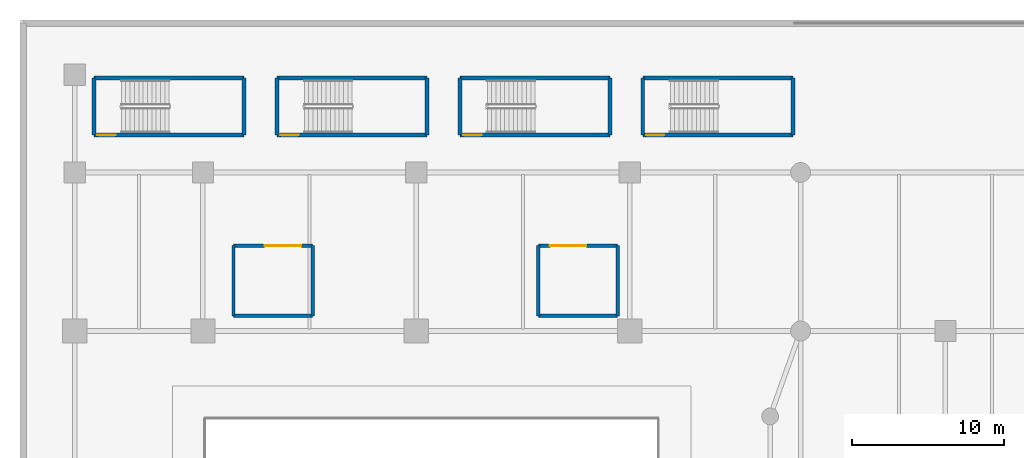
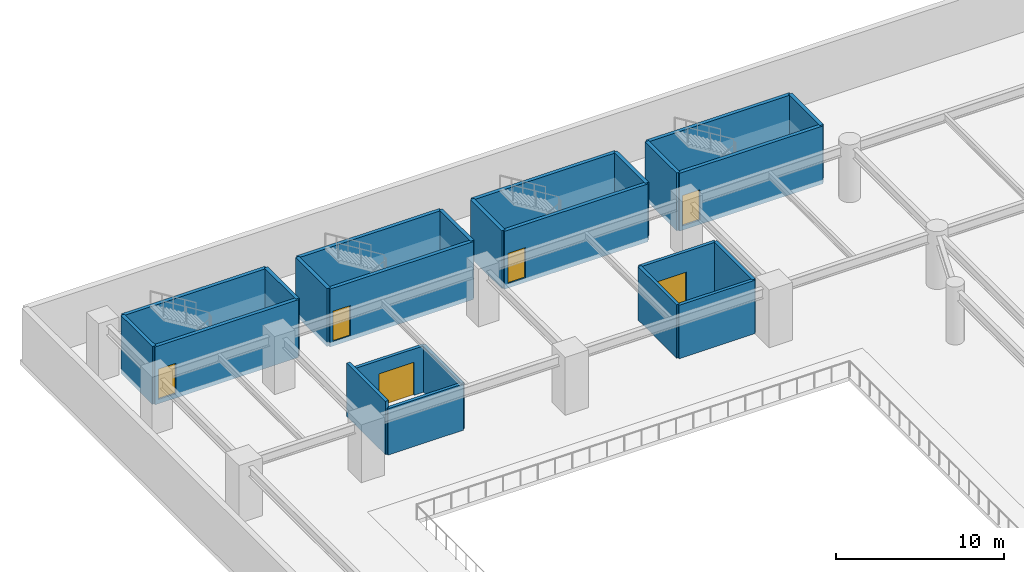
# One storey, part 10 of 22: 24 walls, 6 doors, 6 openings.
"""IFC4 building model written with IfcOpenShell, lengths in metres."""

import ifcopenshell
import ifcopenshell.guid

model = None  # the IFC model being written
_history = None  # IfcOwnerHistory: only IFC2X3 demands one
_inside = {}  # id of a spatial element -> (the spatial element, [elements in it])
_under = {}  # id of a project, library or spatial element -> (it, [spatial elements below it])
_declared = {}  # id of a project -> (the project, [libraries it declares])
_typed = {}  # id of a type object -> (the type object, [elements of that type])
_made_of = {}  # id of a material, layer set ... -> (it, [elements and type objects made of it])


def new_model(schema):
    """Start an empty IFC model of exactly this schema.

    Asked for "IFC4X3", IfcOpenShell would pick the latest addendum, in which some entities
    have other attributes; the version numbers below select the first issue.
    IFC2X3 requires an IfcOwnerHistory on every rooted entity: one is made here for all.
    """
    global model, _history
    if schema == "IFC4X3":
        model = ifcopenshell.file(schema_version=(4, 3, 0, 0))
    else:
        model = ifcopenshell.file(schema=schema)
    _inside.clear()
    _under.clear()
    _declared.clear()
    _typed.clear()
    _made_of.clear()
    _history = None
    if model.schema == "IFC2X3":
        org = make("IfcOrganization", Name="unknown")
        user = make(
            "IfcPersonAndOrganization",
            ThePerson=make("IfcPerson", FamilyName="unknown"),
            TheOrganization=org,
        )
        app = make(
            "IfcApplication",
            ApplicationDeveloper=org,
            Version="unknown",
            ApplicationFullName="unknown",
            ApplicationIdentifier="unknown",
        )
        _history = make(
            "IfcOwnerHistory",
            OwningUser=user,
            OwningApplication=app,
            ChangeAction="ADDED",
            CreationDate=0,
        )
    return model


def make(cls, **values):
    """One entity of the class cls with the attributes given. An attribute that is None is left unset."""
    return model.create_entity(
        cls, **{name: value for name, value in values.items() if value is not None}
    )


def rooted(cls, **values):
    """An entity with a GlobalId (a new one), such as an element, a storey or a relation."""
    return make(cls, GlobalId=ifcopenshell.guid.new(), OwnerHistory=_history, **values)


def si_unit(unit_type, name, prefix=None):
    """IfcSIUnit, for example si_unit("LENGTHUNIT", "METRE", prefix="MILLI")."""
    return make("IfcSIUnit", UnitType=unit_type, Prefix=prefix, Name=name)


def assignment(units):
    """IfcUnitAssignment: the units of a project."""
    return None if units is None else make("IfcUnitAssignment", Units=units)


def point(xyz):
    """IfcCartesianPoint."""
    return None if xyz is None else make("IfcCartesianPoint", Coordinates=xyz)


def direction(xyz):
    """IfcDirection."""
    return None if xyz is None else make("IfcDirection", DirectionRatios=xyz)


def frame(location, z_axis=None, x_axis=None):
    """IfcAxis2Placement3D, a coordinate frame: its origin and axes. An axis left out is left unset."""
    return make(
        "IfcAxis2Placement3D",
        Location=point(location),
        Axis=direction(z_axis),
        RefDirection=direction(x_axis),
    )


def frame_2d(location, x_axis=None):
    """IfcAxis2Placement2D, a coordinate frame in the plane: its origin and x axis."""
    return make(
        "IfcAxis2Placement2D", Location=point(location), RefDirection=direction(x_axis)
    )


def origin():
    """The frame at (0, 0, 0) with its axes left unset."""
    return frame((0.0, 0.0, 0.0))


def place(relative_to, where):
    """IfcLocalPlacement: puts the frame where relative to a parent placement (None: the world)."""
    return make(
        "IfcLocalPlacement", PlacementRelTo=relative_to, RelativePlacement=where
    )


def context(
    kind, dimensions, precision=None, world=None, true_north=None, identifier=None
):
    """IfcGeometricRepresentationContext, for example the 3D "Model" context."""
    return make(
        "IfcGeometricRepresentationContext",
        ContextIdentifier=identifier,
        ContextType=kind,
        CoordinateSpaceDimension=dimensions,
        Precision=precision,
        WorldCoordinateSystem=world,
        TrueNorth=true_north,
    )


def subcontext(parent, identifier, kind, view, scale=None):
    """IfcGeometricRepresentationSubContext, for example "Body" below "Model"."""
    return make(
        "IfcGeometricRepresentationSubContext",
        ContextIdentifier=identifier,
        ContextType=kind,
        ParentContext=parent,
        TargetScale=scale,
        TargetView=view,
    )


def project(units=None, contexts=None):
    """IfcProject with its units and contexts."""
    return rooted(
        "IfcProject",
        Name="project",
        RepresentationContexts=contexts,
        UnitsInContext=assignment(units),
    )


def spatial(cls, under=None, at=None, **own):
    """A site, building, storey or space (cls), placed at a placement, below another one or the project."""
    s = rooted(cls, ObjectPlacement=at, **own)
    if under is not None:
        _under.setdefault(under.id(), (under, []))[1].append(s)
    return s


def profile(cls, at=None, kind="AREA", **sizes):
    """A parametric profile (cls). Its sizes go by their IFC names, for example OverallWidth=200.0."""
    return make(cls, ProfileType=kind, Position=at, **sizes)


def rectangle(**sizes):
    """IfcRectangleProfileDef."""
    return profile("IfcRectangleProfileDef", **sizes)


def extrude(swept, where, along, depth):
    """IfcExtrudedAreaSolid: the profile swept, set in the frame where, extruded along a direction by depth."""
    return make(
        "IfcExtrudedAreaSolid",
        SweptArea=swept,
        Position=where,
        ExtrudedDirection=direction(along),
        Depth=depth,
    )


def shape(context_of_items, identifier, shape_type, items):
    """IfcShapeRepresentation: the items that make up one representation, for example the "Body"."""
    return make(
        "IfcShapeRepresentation",
        ContextOfItems=context_of_items,
        RepresentationIdentifier=identifier,
        RepresentationType=shape_type,
        Items=items,
    )


def material(Name=None, Category=None):
    """IfcMaterial."""
    return make("IfcMaterial", Name=Name, Category=Category)


def layer(
    of_material, thickness, ventilated=None, Name=None, Category=None, Priority=None
):
    """IfcMaterialLayer: one layer of a wall or slab, of a material (None: an air gap)."""
    return make(
        "IfcMaterialLayer",
        Material=of_material,
        LayerThickness=thickness,
        IsVentilated=ventilated,
        Name=Name,
        Category=Category,
        Priority=Priority,
    )


def layer_set(layers, Name=None):
    """IfcMaterialLayerSet."""
    return make("IfcMaterialLayerSet", MaterialLayers=layers, LayerSetName=Name)


def made_of(thing, what):
    """Note that an element or type object is made of a material, layer set ...; save() writes the relation."""
    if what is not None:
        _made_of.setdefault(what.id(), (what, []))[1].append(thing)
    return thing


def type_object(cls, material=None, **own):
    """A type object (cls), such as IfcWallType, which elements share."""
    return made_of(rooted(cls, **own), material)


def element(
    cls,
    number,
    at=None,
    inside=None,
    cuts=None,
    type_object=None,
    material=None,
    context=None,
    identifier="Body",
    shape_type=None,
    held_by="IfcProductDefinitionShape",
    body=None,
    shapes=None,
    **own,
):
    """One element of the class cls, such as IfcWall. Its Tag is "e" and its number.

    at: its placement. inside: the storey or other place that contains it. cuts: it is an
    opening in that element (IfcRelVoidsElement). A single representation is given by context,
    identifier, shape_type and body (its items); several are given by shapes. held_by: the class
    of the entity that holds the representations. save() writes the other relations.
    """
    e = rooted(cls, Tag="e%d" % number, ObjectPlacement=at, **own)
    if body is not None:
        shapes = [shape(context, identifier, shape_type, body)]
    if shapes is not None:
        e.Representation = make(held_by, Representations=shapes)
    if inside is not None:
        _inside.setdefault(inside.id(), (inside, []))[1].append(e)
    if cuts is not None:
        rooted(
            "IfcRelVoidsElement", RelatingBuildingElement=cuts, RelatedOpeningElement=e
        )
    if type_object is not None:
        _typed.setdefault(type_object.id(), (type_object, []))[1].append(e)
    return made_of(e, material)


def fill(opening, filler):
    """IfcRelFillsElement: the door or window that sits in an opening."""
    return rooted(
        "IfcRelFillsElement",
        RelatingOpeningElement=opening,
        RelatedBuildingElement=filler,
    )


def aggregate(whole, parts):
    """IfcRelAggregates: a whole, such as a stair, and the parts it consists of."""
    return rooted("IfcRelAggregates", RelatingObject=whole, RelatedObjects=parts)


def save(model, path):
    """Write the relations noted so far, then the file.

    IfcRelAggregates (storeys below a building ...), IfcRelContainedInSpatialStructure (elements
    in a storey), IfcRelDefinesByType, IfcRelAssociatesMaterial and IfcRelDeclares: one each for
    every whole, place, type object, material and project.
    """
    for whole, parts in _under.values():
        aggregate(whole, parts)
    for where, things in _inside.values():
        rooted(
            "IfcRelContainedInSpatialStructure",
            RelatedElements=things,
            RelatingStructure=where,
        )
    for kind, things in _typed.values():
        rooted("IfcRelDefinesByType", RelatedObjects=things, RelatingType=kind)
    for what, things in _made_of.values():
        rooted("IfcRelAssociatesMaterial", RelatedObjects=things, RelatingMaterial=what)
    for by, libraries in _declared.values():
        rooted("IfcRelDeclares", RelatingContext=by, RelatedDefinitions=libraries)
    model.write(path)


model = new_model("IFC4")

# Units and contexts
model_context = context("Model", 3, precision=1e-05, world=origin(), true_north=direction((0.0, 1.0)))
body_context = subcontext(model_context, "Body", "Model", "MODEL_VIEW")
ifc_project = project(units=[si_unit("LENGTHUNIT", "METRE"), si_unit("AREAUNIT", "SQUARE_METRE"), si_unit("VOLUMEUNIT", "CUBIC_METRE"), si_unit("PLANEANGLEUNIT", "RADIAN"), si_unit("MASSUNIT", "GRAM", prefix="KILO")], contexts=[model_context])

# Site, building, storey
site_placement = place(None, origin())
site = spatial("IfcSite", under=ifc_project, at=site_placement, CompositionType="ELEMENT")
building_placement = place(site_placement, origin())
building = spatial("IfcBuilding", under=site, at=building_placement, Name="Narakoshi Arena Tower", CompositionType="ELEMENT")
storey_placement = place(building_placement, frame((0.0, 0.0, 13.199951171875)))
storey = spatial("IfcBuildingStorey", under=building, at=storey_placement, Name="L03", CompositionType="ELEMENT", Elevation=13.199951171875)

# Walls
ifc_material_1 = material(Name="Concrete C40/50", Category="concrete")
ifc_layer_1 = layer(ifc_material_1, 0.219970703125)
ifc_layer_set_1 = layer_set([ifc_layer_1], Name="Concrete C40/50")
wall_type_1 = type_object("IfcWallType", Name="WL-COMP-220", PredefinedType="SOLIDWALL", material=ifc_layer_set_1)
wall_1_placement = place(storey_placement, frame((14.0, 76.60009765625, 0.0), z_axis=(0.0, 0.0, 1.0), x_axis=(1.0, 0.0, 0.0)))
element("IfcWall", 1, at=wall_1_placement, inside=storey, type_object=wall_type_1, Name="L03 Vomitory 3 Wall S", PredefinedType="SOLIDWALL", context=body_context, shape_type="SweptSolid", body=[
    extrude(rectangle(XDim=5.199951171875, YDim=0.219970703125, at=frame_2d((2.60009765625, 0.0))), origin(), (0.0, 0.0, 1.0), 3.364990234375),
])
wall_2_placement = place(storey_placement, frame((19.199951171875, 76.60009765625, 0.0), z_axis=(0.0, 0.0, 1.0), x_axis=(0.0, 1.0, 0.0)))
element("IfcWall", 2, at=wall_2_placement, inside=storey, type_object=wall_type_1, Name="L03 Vomitory 3 Wall E", PredefinedType="SOLIDWALL", context=body_context, shape_type="SweptSolid", body=[
    extrude(rectangle(XDim=4.599853515625, YDim=0.219970703125, at=frame_2d((2.2998046875, 0.0))), origin(), (0.0, 0.0, 1.0), 3.364990234375),
])

# Wall, opening, door
wall_3_placement = place(storey_placement, frame((19.199951171875, 81.199951171875, 0.0), z_axis=(0.0, 0.0, 1.0), x_axis=(-1.0, 0.0, 0.0)))
wall_3 = element("IfcWall", 3, at=wall_3_placement, inside=storey, type_object=wall_type_1, Name="L03 Vomitory 3 Wall N", PredefinedType="SOLIDWALL", context=body_context, shape_type="SweptSolid", body=[
    extrude(rectangle(XDim=5.199951171875, YDim=0.219970703125, at=frame_2d((2.60009765625, 0.0))), origin(), (0.0, 0.0, 1.0), 3.364990234375),
])
opening_1_placement = place(wall_3_placement, frame((0.75, 0.0, 0.0)))
opening_1 = element("IfcOpeningElement", 4, at=opening_1_placement, cuts=wall_3, Name="Opening D-02", PredefinedType="OPENING", context=body_context, shape_type="SweptSolid", body=[
    extrude(rectangle(XDim=2.39990234375, YDim=2.39990234375, at=frame_2d((1.199951171875, 1.199951171875))), frame((0.0, 0.119873046875, 0.0), z_axis=(0.0, -1.0, 0.0), x_axis=(1.0, 0.0, 0.0)), (0.0, 0.0, 1.0), 0.239990234375),
])
ifc_material_2 = material(Name="Painted galvanized steel", Category="steel")
door_type_1 = type_object("IfcDoorType", Name="DR-ARN-2400", OperationType="DOUBLE_DOOR_SINGLE_SWING", PredefinedType="USERDEFINED", material=ifc_material_2)
door_1_placement = place(opening_1_placement, frame((2.39990234375, 0.0, 0.0), z_axis=(0.0, 0.0, 1.0), x_axis=(-1.0, 0.0, 0.0)))
door_1 = element("IfcDoor", 5, at=door_1_placement, inside=storey, type_object=door_type_1, Name="DR-L03-023", ObjectType="EXITDOOR", OperationType="DOUBLE_DOOR_SINGLE_SWING", OverallHeight=2.39990234375, OverallWidth=2.39990234375, PredefinedType="USERDEFINED", context=body_context, shape_type="SweptSolid", body=[
    extrude(rectangle(XDim=2.39990234375, YDim=2.39990234375, at=frame_2d((1.199951171875, 1.199951171875))), frame((0.0, 0.02490234375, 0.0), z_axis=(0.0, -1.0, 0.0), x_axis=(1.0, 0.0, 0.0)), (0.0, 0.0, 1.0), 0.050048828125),
])
fill(opening_1, door_1)

# Walls
wall_4_placement = place(storey_placement, frame((14.0, 81.199951171875, 0.0), z_axis=(0.0, 0.0, 1.0), x_axis=(0.0, -1.0, 0.0)))
element("IfcWall", 6, at=wall_4_placement, inside=storey, type_object=wall_type_1, Name="L03 Vomitory 3 Wall W", PredefinedType="SOLIDWALL", context=body_context, shape_type="SweptSolid", body=[
    extrude(rectangle(XDim=4.599853515625, YDim=0.219970703125, at=frame_2d((2.2998046875, 0.0))), origin(), (0.0, 0.0, 1.0), 3.880126953125),
])
wall_5_placement = place(storey_placement, frame((34.0, 76.60009765625, 0.0), z_axis=(0.0, 0.0, 1.0), x_axis=(1.0, 0.0, 0.0)))
element("IfcWall", 7, at=wall_5_placement, inside=storey, type_object=wall_type_1, Name="L03 Vomitory 4 Wall S", PredefinedType="SOLIDWALL", context=body_context, shape_type="SweptSolid", body=[
    extrude(rectangle(XDim=5.199951171875, YDim=0.219970703125, at=frame_2d((2.60009765625, 0.0))), origin(), (0.0, 0.0, 1.0), 3.880126953125),
])
wall_6_placement = place(storey_placement, frame((39.199951171875, 76.60009765625, 0.0), z_axis=(0.0, 0.0, 1.0), x_axis=(0.0, 1.0, 0.0)))
element("IfcWall", 8, at=wall_6_placement, inside=storey, type_object=wall_type_1, Name="L03 Vomitory 4 Wall E", PredefinedType="SOLIDWALL", context=body_context, shape_type="SweptSolid", body=[
    extrude(rectangle(XDim=4.599853515625, YDim=0.219970703125, at=frame_2d((2.2998046875, 0.0))), origin(), (0.0, 0.0, 1.0), 3.880126953125),
])

# Wall, opening, door
wall_7_placement = place(storey_placement, frame((39.199951171875, 81.199951171875, 0.0), z_axis=(0.0, 0.0, 1.0), x_axis=(-1.0, 0.0, 0.0)))
wall_7 = element("IfcWall", 9, at=wall_7_placement, inside=storey, type_object=wall_type_1, Name="L03 Vomitory 4 Wall N", PredefinedType="SOLIDWALL", context=body_context, shape_type="SweptSolid", body=[
    extrude(rectangle(XDim=5.199951171875, YDim=0.219970703125, at=frame_2d((2.60009765625, 0.0))), origin(), (0.0, 0.0, 1.0), 3.880126953125),
])
opening_2_placement = place(wall_7_placement, frame((2.050048828125, 0.0, 0.0)))
opening_2 = element("IfcOpeningElement", 10, at=opening_2_placement, cuts=wall_7, Name="Opening D-02", PredefinedType="OPENING", context=body_context, shape_type="SweptSolid", body=[
    extrude(rectangle(XDim=2.39990234375, YDim=2.39990234375, at=frame_2d((1.199951171875, 1.199951171875))), frame((0.0, 0.119873046875, 0.0), z_axis=(0.0, -1.0, 0.0), x_axis=(1.0, 0.0, 0.0)), (0.0, 0.0, 1.0), 0.239990234375),
])
door_2_placement = place(opening_2_placement, frame((2.39990234375, 0.0, 0.0), z_axis=(0.0, 0.0, 1.0), x_axis=(-1.0, 0.0, 0.0)))
door_2 = element("IfcDoor", 11, at=door_2_placement, inside=storey, type_object=door_type_1, Name="DR-L03-024", ObjectType="EXITDOOR", OperationType="DOUBLE_DOOR_SINGLE_SWING", OverallHeight=2.39990234375, OverallWidth=2.39990234375, PredefinedType="USERDEFINED", context=body_context, shape_type="SweptSolid", body=[
    extrude(rectangle(XDim=2.39990234375, YDim=2.39990234375, at=frame_2d((1.199951171875, 1.199951171875))), frame((0.0, 0.02490234375, 0.0), z_axis=(0.0, -1.0, 0.0), x_axis=(1.0, 0.0, 0.0)), (0.0, 0.0, 1.0), 0.050048828125),
])
fill(opening_2, door_2)

# Walls
wall_8_placement = place(storey_placement, frame((34.0, 81.199951171875, 0.0), z_axis=(0.0, 0.0, 1.0), x_axis=(0.0, -1.0, 0.0)))
element("IfcWall", 12, at=wall_8_placement, inside=storey, type_object=wall_type_1, Name="L03 Vomitory 4 Wall W", PredefinedType="SOLIDWALL", context=body_context, shape_type="SweptSolid", body=[
    extrude(rectangle(XDim=4.599853515625, YDim=0.219970703125, at=frame_2d((2.2998046875, 0.0))), origin(), (0.0, 0.0, 1.0), 3.880126953125),
])
ifc_material_3 = material(Name="Concrete C50/60", Category="concrete")
ifc_layer_2 = layer(ifc_material_3, 0.35009765625)
ifc_layer_set_2 = layer_set([ifc_layer_2], Name="Concrete C50/60")
wall_type_2 = type_object("IfcWallType", Name="WL-SHAFT-350", PredefinedType="SOLIDWALL", material=ifc_layer_set_2)
for number, where, z_axis, x_axis, name in (
    (13, (4.85009765625, 88.449951171875, -0.320068359375), (0.0, 0.0, 1.0), (0.0, 1.0, 0.0), "L03 AST5 Enclosure Wall W"),
    (14, (14.699951171875, 88.449951171875, -0.320068359375), (0.0, 0.0, 1.0), (0.0, 1.0, 0.0), "L03 AST5 Enclosure Wall E"),
):
    element("IfcWall", number, at=place(storey_placement, frame(where, z_axis=z_axis, x_axis=x_axis)), inside=storey, type_object=wall_type_2, Name=name, PredefinedType="SOLIDWALL", context=body_context, shape_type="SweptSolid", body=[
        extrude(rectangle(XDim=3.75, YDim=0.25, at=frame_2d((1.875, 0.0))), origin(), (0.0, 0.0, 1.0), 4.2001953125),
    ])
wall_9_placement = place(storey_placement, frame((4.85009765625, 92.199951171875, -0.320068359375), z_axis=(0.0, 0.0, 1.0), x_axis=(1.0, 0.0, 0.0)))
element("IfcWall", 15, at=wall_9_placement, inside=storey, type_object=wall_type_2, Name="L03 AST5 Enclosure Wall B", PredefinedType="SOLIDWALL", context=body_context, shape_type="SweptSolid", body=[
    extrude(rectangle(XDim=9.849853515625, YDim=0.25, at=frame_2d((4.9248046875, 0.0))), origin(), (0.0, 0.0, 1.0), 4.2001953125),
])

# Wall, opening, door
wall_10_placement = place(storey_placement, frame((4.85009765625, 88.449951171875, -0.320068359375), z_axis=(0.0, 0.0, 1.0), x_axis=(1.0, 0.0, 0.0)))
wall_10 = element("IfcWall", 16, at=wall_10_placement, inside=storey, type_object=wall_type_2, Name="L03 AST5 Landing Door Wall", PredefinedType="SOLIDWALL", context=body_context, shape_type="SweptSolid", body=[
    extrude(rectangle(XDim=9.849853515625, YDim=0.25, at=frame_2d((4.9248046875, 0.0))), origin(), (0.0, 0.0, 1.0), 4.2001953125),
])
opening_3_placement = place(wall_10_placement, frame((0.219970703125, 0.0, 0.320068359375)))
opening_3 = element("IfcOpeningElement", 17, at=opening_3_placement, cuts=wall_10, Name="Opening D-03", PredefinedType="OPENING", context=body_context, shape_type="SweptSolid", body=[
    extrude(rectangle(XDim=1.199951171875, YDim=2.199951171875, at=frame_2d((0.60009765625, 1.10009765625))), frame((0.0, 0.135009765625, 0.0), z_axis=(0.0, -1.0, 0.0), x_axis=(1.0, 0.0, 0.0)), (0.0, 0.0, 1.0), 0.27001953125),
])
door_type_2 = type_object("IfcDoorType", Name="DR-STR-1200", OperationType="NOTDEFINED", PredefinedType="USERDEFINED", material=ifc_material_2)
door_3_placement = place(opening_3_placement, origin())
door_3 = element("IfcDoor", 18, at=door_3_placement, inside=storey, type_object=door_type_2, Name="DR-L03-017", ObjectType="EXITDOOR", OperationType="SINGLE_SWING_LEFT", OverallHeight=2.199951171875, OverallWidth=1.199951171875, PredefinedType="USERDEFINED", context=body_context, shape_type="SweptSolid", body=[
    extrude(rectangle(XDim=1.199951171875, YDim=2.199951171875, at=frame_2d((0.60009765625, 1.10009765625))), frame((0.0, 0.02490234375, 0.0), z_axis=(0.0, -1.0, 0.0), x_axis=(1.0, 0.0, 0.0)), (0.0, 0.0, 1.0), 0.050048828125),
])
fill(opening_3, door_3)

# Walls
for number, where, z_axis, x_axis, name in (
    (19, (16.85009765625, 88.449951171875, -0.320068359375), (0.0, 0.0, 1.0), (0.0, 1.0, 0.0), "L03 AST6 Enclosure Wall W"),
    (20, (26.699951171875, 88.449951171875, -0.320068359375), (0.0, 0.0, 1.0), (0.0, 1.0, 0.0), "L03 AST6 Enclosure Wall E"),
):
    element("IfcWall", number, at=place(storey_placement, frame(where, z_axis=z_axis, x_axis=x_axis)), inside=storey, type_object=wall_type_2, Name=name, PredefinedType="SOLIDWALL", context=body_context, shape_type="SweptSolid", body=[
        extrude(rectangle(XDim=3.75, YDim=0.25, at=frame_2d((1.875, 0.0))), origin(), (0.0, 0.0, 1.0), 4.2001953125),
    ])
wall_11_placement = place(storey_placement, frame((16.85009765625, 92.199951171875, -0.320068359375), z_axis=(0.0, 0.0, 1.0), x_axis=(1.0, 0.0, 0.0)))
element("IfcWall", 21, at=wall_11_placement, inside=storey, type_object=wall_type_2, Name="L03 AST6 Enclosure Wall B", PredefinedType="SOLIDWALL", context=body_context, shape_type="SweptSolid", body=[
    extrude(rectangle(XDim=9.849853515625, YDim=0.25, at=frame_2d((4.9248046875, 0.0))), origin(), (0.0, 0.0, 1.0), 4.2001953125),
])

# Wall, opening, door
wall_12_placement = place(storey_placement, frame((16.85009765625, 88.449951171875, -0.320068359375), z_axis=(0.0, 0.0, 1.0), x_axis=(1.0, 0.0, 0.0)))
wall_12 = element("IfcWall", 22, at=wall_12_placement, inside=storey, type_object=wall_type_2, Name="L03 AST6 Landing Door Wall", PredefinedType="SOLIDWALL", context=body_context, shape_type="SweptSolid", body=[
    extrude(rectangle(XDim=9.849853515625, YDim=0.25, at=frame_2d((4.9248046875, 0.0))), origin(), (0.0, 0.0, 1.0), 4.2001953125),
])
opening_4_placement = place(wall_12_placement, frame((0.219970703125, 0.0, 0.320068359375)))
opening_4 = element("IfcOpeningElement", 23, at=opening_4_placement, cuts=wall_12, Name="Opening D-03", PredefinedType="OPENING", context=body_context, shape_type="SweptSolid", body=[
    extrude(rectangle(XDim=1.199951171875, YDim=2.199951171875, at=frame_2d((0.60009765625, 1.10009765625))), frame((0.0, 0.135009765625, 0.0), z_axis=(0.0, -1.0, 0.0), x_axis=(1.0, 0.0, 0.0)), (0.0, 0.0, 1.0), 0.27001953125),
])
door_4_placement = place(opening_4_placement, origin())
door_4 = element("IfcDoor", 24, at=door_4_placement, inside=storey, type_object=door_type_2, Name="DR-L03-018", ObjectType="EXITDOOR", OperationType="SINGLE_SWING_RIGHT", OverallHeight=2.199951171875, OverallWidth=1.199951171875, PredefinedType="USERDEFINED", context=body_context, shape_type="SweptSolid", body=[
    extrude(rectangle(XDim=1.199951171875, YDim=2.199951171875, at=frame_2d((0.60009765625, 1.10009765625))), frame((0.0, 0.02490234375, 0.0), z_axis=(0.0, -1.0, 0.0), x_axis=(1.0, 0.0, 0.0)), (0.0, 0.0, 1.0), 0.050048828125),
])
fill(opening_4, door_4)

# Walls
for number, where, z_axis, x_axis, name in (
    (25, (28.85009765625, 88.449951171875, -0.320068359375), (0.0, 0.0, 1.0), (0.0, 1.0, 0.0), "L03 AST7 Enclosure Wall W"),
    (26, (38.699951171875, 88.449951171875, -0.320068359375), (0.0, 0.0, 1.0), (0.0, 1.0, 0.0), "L03 AST7 Enclosure Wall E"),
):
    element("IfcWall", number, at=place(storey_placement, frame(where, z_axis=z_axis, x_axis=x_axis)), inside=storey, type_object=wall_type_2, Name=name, PredefinedType="SOLIDWALL", context=body_context, shape_type="SweptSolid", body=[
        extrude(rectangle(XDim=3.75, YDim=0.25, at=frame_2d((1.875, 0.0))), origin(), (0.0, 0.0, 1.0), 4.2001953125),
    ])
wall_13_placement = place(storey_placement, frame((28.85009765625, 92.199951171875, -0.320068359375), z_axis=(0.0, 0.0, 1.0), x_axis=(1.0, 0.0, 0.0)))
element("IfcWall", 27, at=wall_13_placement, inside=storey, type_object=wall_type_2, Name="L03 AST7 Enclosure Wall B", PredefinedType="SOLIDWALL", context=body_context, shape_type="SweptSolid", body=[
    extrude(rectangle(XDim=9.849853515625, YDim=0.25, at=frame_2d((4.9248046875, 0.0))), origin(), (0.0, 0.0, 1.0), 4.2001953125),
])

# Wall, opening, door
wall_14_placement = place(storey_placement, frame((28.85009765625, 88.449951171875, -0.320068359375), z_axis=(0.0, 0.0, 1.0), x_axis=(1.0, 0.0, 0.0)))
wall_14 = element("IfcWall", 28, at=wall_14_placement, inside=storey, type_object=wall_type_2, Name="L03 AST7 Landing Door Wall", PredefinedType="SOLIDWALL", context=body_context, shape_type="SweptSolid", body=[
    extrude(rectangle(XDim=9.849853515625, YDim=0.25, at=frame_2d((4.9248046875, 0.0))), origin(), (0.0, 0.0, 1.0), 4.2001953125),
])
opening_5_placement = place(wall_14_placement, frame((0.219970703125, 0.0, 0.320068359375)))
opening_5 = element("IfcOpeningElement", 29, at=opening_5_placement, cuts=wall_14, Name="Opening D-03", PredefinedType="OPENING", context=body_context, shape_type="SweptSolid", body=[
    extrude(rectangle(XDim=1.199951171875, YDim=2.199951171875, at=frame_2d((0.60009765625, 1.10009765625))), frame((0.0, 0.135009765625, 0.0), z_axis=(0.0, -1.0, 0.0), x_axis=(1.0, 0.0, 0.0)), (0.0, 0.0, 1.0), 0.27001953125),
])
door_5_placement = place(opening_5_placement, origin())
door_5 = element("IfcDoor", 30, at=door_5_placement, inside=storey, type_object=door_type_2, Name="DR-L03-019", ObjectType="EXITDOOR", OperationType="SINGLE_SWING_LEFT", OverallHeight=2.199951171875, OverallWidth=1.199951171875, PredefinedType="USERDEFINED", context=body_context, shape_type="SweptSolid", body=[
    extrude(rectangle(XDim=1.199951171875, YDim=2.199951171875, at=frame_2d((0.60009765625, 1.10009765625))), frame((0.0, 0.02490234375, 0.0), z_axis=(0.0, -1.0, 0.0), x_axis=(1.0, 0.0, 0.0)), (0.0, 0.0, 1.0), 0.050048828125),
])
fill(opening_5, door_5)

# Walls
for number, where, z_axis, x_axis, name in (
    (31, (40.85009765625, 88.449951171875, -0.320068359375), (0.0, 0.0, 1.0), (0.0, 1.0, 0.0), "L03 AST8 Enclosure Wall W"),
    (32, (50.699951171875, 88.449951171875, -0.320068359375), (0.0, 0.0, 1.0), (0.0, 1.0, 0.0), "L03 AST8 Enclosure Wall E"),
):
    element("IfcWall", number, at=place(storey_placement, frame(where, z_axis=z_axis, x_axis=x_axis)), inside=storey, type_object=wall_type_2, Name=name, PredefinedType="SOLIDWALL", context=body_context, shape_type="SweptSolid", body=[
        extrude(rectangle(XDim=3.75, YDim=0.25, at=frame_2d((1.875, 0.0))), origin(), (0.0, 0.0, 1.0), 4.2001953125),
    ])
wall_15_placement = place(storey_placement, frame((40.85009765625, 92.199951171875, -0.320068359375), z_axis=(0.0, 0.0, 1.0), x_axis=(1.0, 0.0, 0.0)))
element("IfcWall", 33, at=wall_15_placement, inside=storey, type_object=wall_type_2, Name="L03 AST8 Enclosure Wall B", PredefinedType="SOLIDWALL", context=body_context, shape_type="SweptSolid", body=[
    extrude(rectangle(XDim=9.849853515625, YDim=0.25, at=frame_2d((4.9248046875, 0.0))), origin(), (0.0, 0.0, 1.0), 4.2001953125),
])

# Wall, opening, door
wall_16_placement = place(storey_placement, frame((40.85009765625, 88.449951171875, -0.320068359375), z_axis=(0.0, 0.0, 1.0), x_axis=(1.0, 0.0, 0.0)))
wall_16 = element("IfcWall", 34, at=wall_16_placement, inside=storey, type_object=wall_type_2, Name="L03 AST8 Landing Door Wall", PredefinedType="SOLIDWALL", context=body_context, shape_type="SweptSolid", body=[
    extrude(rectangle(XDim=9.849853515625, YDim=0.25, at=frame_2d((4.9248046875, 0.0))), origin(), (0.0, 0.0, 1.0), 4.2001953125),
])
opening_6_placement = place(wall_16_placement, frame((0.219970703125, 0.0, 0.320068359375)))
opening_6 = element("IfcOpeningElement", 35, at=opening_6_placement, cuts=wall_16, Name="Opening D-03", PredefinedType="OPENING", context=body_context, shape_type="SweptSolid", body=[
    extrude(rectangle(XDim=1.199951171875, YDim=2.199951171875, at=frame_2d((0.60009765625, 1.10009765625))), frame((0.0, 0.135009765625, 0.0), z_axis=(0.0, -1.0, 0.0), x_axis=(1.0, 0.0, 0.0)), (0.0, 0.0, 1.0), 0.27001953125),
])
door_6_placement = place(opening_6_placement, origin())
door_6 = element("IfcDoor", 36, at=door_6_placement, inside=storey, type_object=door_type_2, Name="DR-L03-020", ObjectType="EXITDOOR", OperationType="SINGLE_SWING_RIGHT", OverallHeight=2.199951171875, OverallWidth=1.199951171875, PredefinedType="USERDEFINED", context=body_context, shape_type="SweptSolid", body=[
    extrude(rectangle(XDim=1.199951171875, YDim=2.199951171875, at=frame_2d((0.60009765625, 1.10009765625))), frame((0.0, 0.02490234375, 0.0), z_axis=(0.0, -1.0, 0.0), x_axis=(1.0, 0.0, 0.0)), (0.0, 0.0, 1.0), 0.050048828125),
])
fill(opening_6, door_6)

save(model, "model.ifc")
